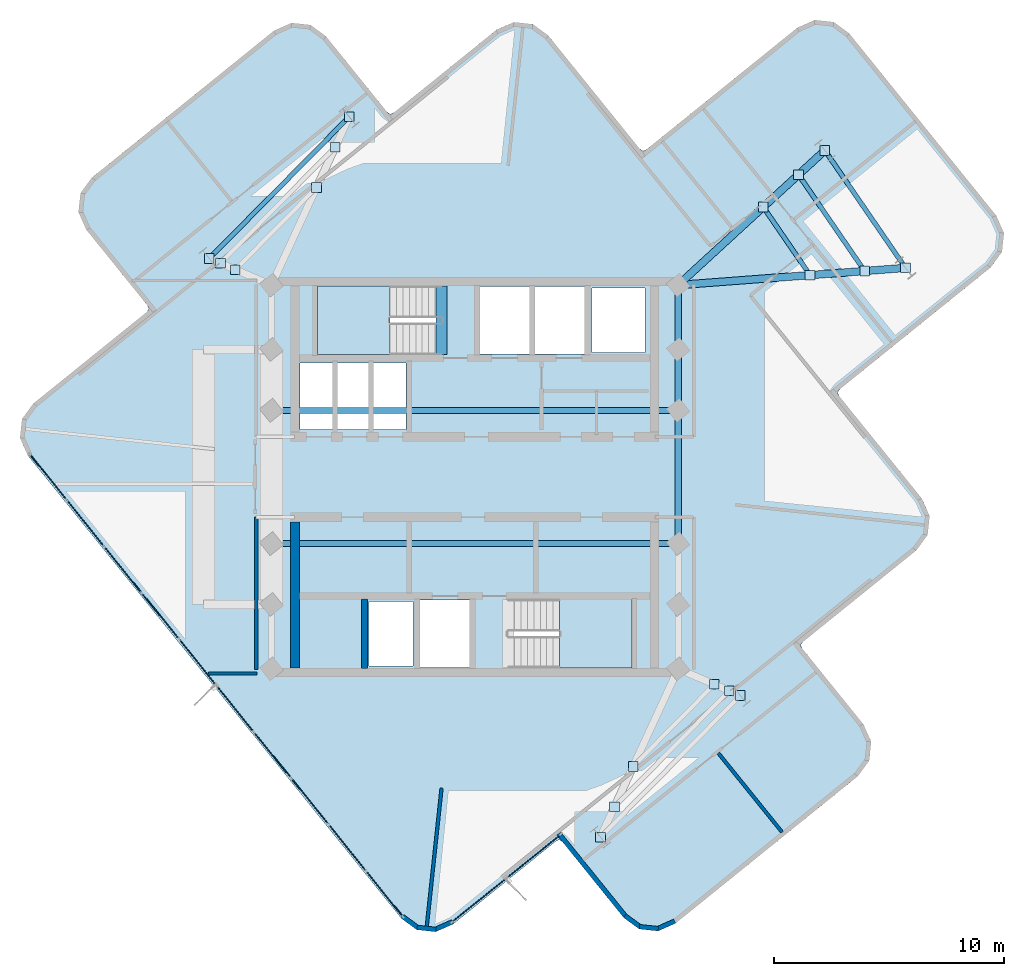
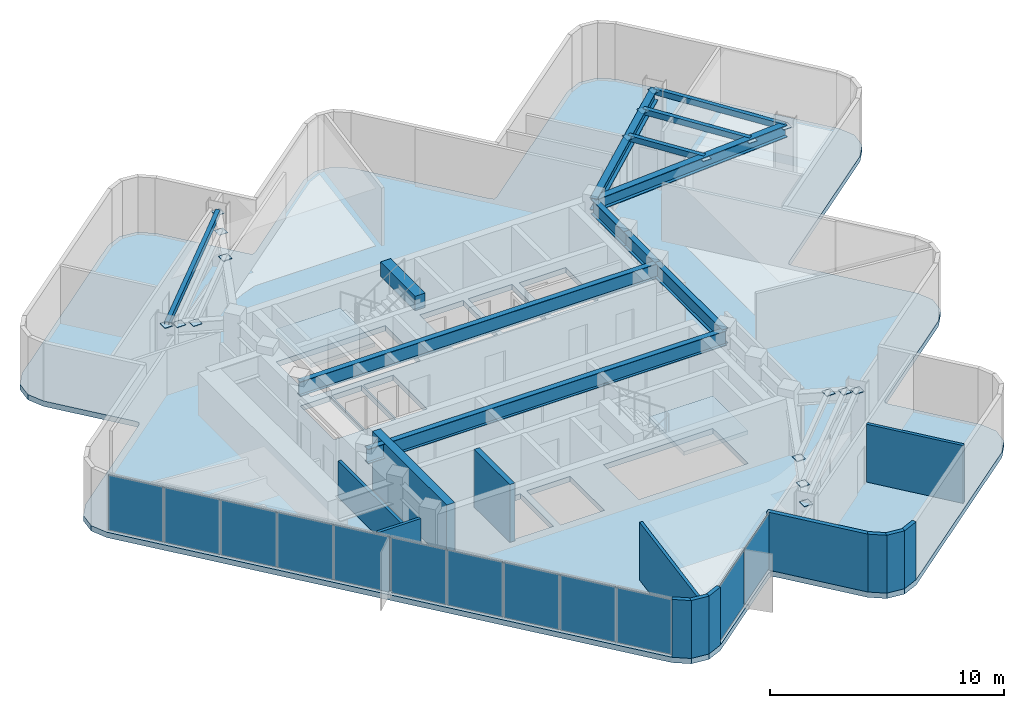
# One storey, part 4 of 9: 30 plates, 13 walls, 12 beams, 3 slabs, 4 elements without a shape of their own.
"""IFC4 building model written with IfcOpenShell, lengths in metres."""

from ifc_helpers import new_model, si_unit, direction, frame, frame_2d, origin, origin_2d, place, context, subcontext, project, spatial, polyline, rectangle, hollow_rectangle, i_section, outline, extrude, material, layer, layer_set, material_profile, profile_set, type_object, element, aggregate, save


model = new_model("IFC4")

# Units and contexts
model_context = context("Model", 3, precision=1e-05, world=origin(), true_north=direction((0.0, 1.0)))
body_context = subcontext(model_context, "Body", "Model", "MODEL_VIEW")
ifc_project = project(units=[si_unit("LENGTHUNIT", "METRE"), si_unit("AREAUNIT", "SQUARE_METRE"), si_unit("VOLUMEUNIT", "CUBIC_METRE"), si_unit("PLANEANGLEUNIT", "RADIAN"), si_unit("MASSUNIT", "GRAM", prefix="KILO")], contexts=[model_context])

# Site, building, storey
site_placement = place(None, origin())
site = spatial("IfcSite", under=ifc_project, at=site_placement, CompositionType="ELEMENT")
building_placement = place(site_placement, origin())
building = spatial("IfcBuilding", under=site, at=building_placement, Name="Solmarez Civic Tower", CompositionType="ELEMENT")
storey_placement = place(building_placement, frame((0.0, 0.0, 235.97998046875)))
storey = spatial("IfcBuildingStorey", under=building, at=storey_placement, Name="L63", CompositionType="ELEMENT", Elevation=235.97998046875)

# Beams
ifc_material_1 = material(Name="Steel S355", Category="steel")
ifc_material_profile_1 = material_profile(ifc_material_1, hollow_rectangle(XDim=0.199951171875, YDim=0.300048828125, WallThickness=0.011962890625, at=origin_2d()), Name="HSS300X200X12")
ifc_profile_set_1 = profile_set([ifc_material_profile_1], Name="Steel S355")
beam_type_1 = type_object("IfcBeamType", Name="BM-JS-HSS300X200", PredefinedType="JOIST", material=ifc_profile_set_1)
beam_1_placement = place(storey_placement, frame((18.740966796875, 9.096923828125, 2.8701171875), z_axis=(-0.565711253315, 0.824603406416, 0.0), x_axis=(-0.824603406416, -0.565711253315, 0.0)))
element("IfcBeam", 1, at=beam_1_placement, inside=storey, type_object=beam_type_1, Name="L63 Secondary Floor Joist BM-L63-EA-T1", PredefinedType="JOIST", context=body_context, shape_type="SweptSolid", body=[
    extrude(hollow_rectangle(XDim=0.199951171875, YDim=0.300048828125, WallThickness=0.011962890625, at=origin_2d()), origin(), (0.0, 0.0, 1.0), 6.199462890625),
])
beam_2_placement = place(storey_placement, frame((14.5869140625, 8.782958984375, 2.8701171875), z_axis=(-0.565666897805, 0.824633834334, 0.0), x_axis=(-0.824633834334, -0.565666897805, 0.0)))
element("IfcBeam", 2, at=beam_2_placement, inside=storey, type_object=beam_type_1, Name="L63 Secondary Floor Joist JS-L63-EA-M11", PredefinedType="JOIST", context=body_context, shape_type="SweptSolid", body=[
    extrude(hollow_rectangle(XDim=0.199951171875, YDim=0.300048828125, WallThickness=0.011962890625, at=origin_2d()), origin(), (0.0, 0.0, 1.0), 3.595703125),
])
beam_3_placement = place(storey_placement, frame((16.9609375, 8.962890625, 2.8701171875), z_axis=(-0.565800880521, 0.824541911367, 0.0), x_axis=(-0.824541911367, -0.565800880521, 0.0)))
element("IfcBeam", 3, at=beam_3_placement, inside=storey, type_object=beam_type_1, Name="L63 Secondary Floor Joist JS-L63-EA-M12", PredefinedType="JOIST", context=body_context, shape_type="SweptSolid", body=[
    extrude(hollow_rectangle(XDim=0.199951171875, YDim=0.300048828125, WallThickness=0.011962890625, at=origin_2d()), origin(), (0.0, 0.0, 1.0), 5.0830078125),
])
beam_4_placement = place(storey_placement, frame((-5.468017578125, 15.6708984375, 2.8701171875), z_axis=(-0.702766092364, -0.711420986072, 0.0), x_axis=(0.711420986072, -0.702766092364, 0.0)))
element("IfcBeam", 4, at=beam_4_placement, inside=storey, type_object=beam_type_1, Name="L63 Secondary Floor Joist BM-L63-NA-T1", PredefinedType="JOIST", context=body_context, shape_type="SweptSolid", body=[
    extrude(hollow_rectangle(XDim=0.199951171875, YDim=0.300048828125, WallThickness=0.011962890625, at=origin_2d()), origin(), (0.0, 0.0, 1.0), 8.659912109375),
])
ifc_material_2 = material(Name="Concrete C50/60", Category="concrete")
ifc_material_profile_2 = material_profile(ifc_material_2, rectangle(XDim=0.5, YDim=0.75, at=origin_2d()), Name="RC500X750")
ifc_profile_set_2 = profile_set([ifc_material_profile_2], Name="Concrete C50/60")
beam_type_2 = type_object("IfcBeamType", Name="BM-PR-RC500X750", PredefinedType="BEAM", material=ifc_profile_set_2)
beam_5_placement = place(storey_placement, frame((-1.449951171875, 5.340087890625, 3.052978515625), z_axis=(0.0, 1.0, 0.0), x_axis=(-1.0, 0.0, 0.0)))
element("IfcBeam", 5, at=beam_5_placement, inside=storey, type_object=beam_type_2, Name="L63 North Stair Threshold Beam", PredefinedType="BEAM", context=body_context, shape_type="SweptSolid", body=[
    extrude(rectangle(XDim=0.5, YDim=0.75, at=origin_2d()), origin(), (0.0, 0.0, 1.0), 2.9599609375),
])
ifc_material_profile_3 = material_profile(ifc_material_1, i_section(OverallWidth=0.327880859375, OverallDepth=0.6220703125, WebThickness=0.015380859375, FlangeThickness=0.0244140625, at=origin_2d()), Name="W24X131")
ifc_profile_set_3 = profile_set([ifc_material_profile_3], Name="Steel S355")
beam_type_3 = type_object("IfcBeamType", Name="BM-PR-W24X131", PredefinedType="BEAM", material=ifc_profile_set_3)
beam_6_placement = place(storey_placement, frame((8.85009765625, 8.35009765625, 2.708984375), z_axis=(0.997161506076, 0.075292302399, 0.0), x_axis=(-0.075292302399, 0.997161506076, 0.0)))
element("IfcBeam", 6, at=beam_6_placement, inside=storey, type_object=beam_type_3, Name="L63 Primary Floor Beam BM-L63-EA-R1A", PredefinedType="BEAM", context=body_context, shape_type="SweptSolid", body=[
    extrude(i_section(OverallWidth=0.327880859375, OverallDepth=0.6220703125, WebThickness=0.015380859375, FlangeThickness=0.0244140625, at=origin_2d()), origin(), (0.0, 0.0, 1.0), 9.9189453125),
])
beam_7_placement = place(storey_placement, frame((8.85009765625, 8.35009765625, 2.708984375), z_axis=(0.736746995662, 0.676168517741, 0.0), x_axis=(-0.676168517741, 0.736746995662, 0.0)))
element("IfcBeam", 7, at=beam_7_placement, inside=storey, type_object=beam_type_3, Name="L63 Primary Floor Beam BM-L63-EA-R1B", PredefinedType="BEAM", context=body_context, shape_type="SweptSolid", body=[
    extrude(i_section(OverallWidth=0.327880859375, OverallDepth=0.6220703125, WebThickness=0.015380859375, FlangeThickness=0.0244140625, at=origin_2d()), origin(), (0.0, 0.0, 1.0), 8.664794921875),
])
ifc_material_profile_4 = material_profile(ifc_material_1, i_section(OverallWidth=0.26708984375, OverallDepth=0.761962890625, WebThickness=0.014404296875, FlangeThickness=0.021484375, at=origin_2d()), Name="W30X116")
ifc_profile_set_4 = profile_set([ifc_material_profile_4], Name="Steel S355")
beam_type_4 = type_object("IfcBeamType", Name="BM-PR-W30X116", PredefinedType="BEAM", material=ifc_profile_set_4)
beam_8_placement = place(storey_placement, frame((8.85009765625, -2.89990234375, 2.638916015625), z_axis=(0.0, 1.0, 0.0), x_axis=(-1.0, 0.0, 0.0)))
element("IfcBeam", 8, at=beam_8_placement, inside=storey, type_object=beam_type_4, Name="L63 Primary Floor Beam BM-L63-HC6-HC7", PredefinedType="BEAM", context=body_context, shape_type="SweptSolid", body=[
    extrude(i_section(OverallWidth=0.26708984375, OverallDepth=0.761962890625, WebThickness=0.014404296875, FlangeThickness=0.021484375, at=origin_2d()), origin(), (0.0, 0.0, 1.0), 5.7998046875),
])
beam_9_placement = place(storey_placement, frame((8.85009765625, 2.89990234375, 2.638916015625), z_axis=(0.0, 1.0, 0.0), x_axis=(-1.0, 0.0, 0.0)))
element("IfcBeam", 9, at=beam_9_placement, inside=storey, type_object=beam_type_4, Name="L63 Primary Floor Beam BM-L63-HC7-HC8", PredefinedType="BEAM", context=body_context, shape_type="SweptSolid", body=[
    extrude(i_section(OverallWidth=0.26708984375, OverallDepth=0.761962890625, WebThickness=0.014404296875, FlangeThickness=0.021484375, at=origin_2d()), origin(), (0.0, 0.0, 1.0), 2.650146484375),
])
beam_10_placement = place(storey_placement, frame((8.85009765625, 5.550048828125, 2.638916015625), z_axis=(0.0, 1.0, 0.0), x_axis=(-1.0, 0.0, 0.0)))
element("IfcBeam", 10, at=beam_10_placement, inside=storey, type_object=beam_type_4, Name="L63 Primary Floor Beam BM-L63-HC8-HC11", PredefinedType="BEAM", context=body_context, shape_type="SweptSolid", body=[
    extrude(i_section(OverallWidth=0.26708984375, OverallDepth=0.761962890625, WebThickness=0.014404296875, FlangeThickness=0.021484375, at=origin_2d()), origin(), (0.0, 0.0, 1.0), 2.800048828125),
])
for number, where, z_axis, x_axis, name in (
    (11, (-8.85009765625, -2.89990234375, 2.638916015625), (1.0, 0.0, 0.0), (0.0, 1.0, 0.0), "L63 Primary Floor Beam BM-L63-HC2-HC6"),
    (12, (-8.85009765625, 2.89990234375, 2.638916015625), (1.0, 0.0, 0.0), (0.0, 1.0, 0.0), "L63 Primary Floor Beam BM-L63-HC3-HC7"),
):
    element("IfcBeam", number, at=place(storey_placement, frame(where, z_axis=z_axis, x_axis=x_axis)), inside=storey, type_object=beam_type_4, Name=name, PredefinedType="BEAM", context=body_context, shape_type="SweptSolid", body=[
        extrude(i_section(OverallWidth=0.26708984375, OverallDepth=0.761962890625, WebThickness=0.014404296875, FlangeThickness=0.021484375, at=origin_2d()), origin(), (0.0, 0.0, 1.0), 17.7001953125),
    ])

# Curtain wall, plates
ifc_material_3 = material(Name="Bronze Anodised Aluminium EN AW-6063 T6", Category="aluminium")
ifc_layer_1 = layer(ifc_material_3, 0.1650390625)
ifc_layer_set_1 = layer_set([ifc_layer_1], Name="Bronze Anodised Aluminium EN AW-6063 T6")
curtain_wall_type = type_object("IfcCurtainWallType", Name="CW-SYS-4", PredefinedType="NOTDEFINED", material=ifc_layer_set_1)
curtain_wall_1_placement = place(storey_placement, origin())
curtain_wall_1 = element("IfcCurtainWall", 13, at=curtain_wall_1_placement, inside=storey, type_object=curtain_wall_type, Name="L63 Stick-Built Curtain Wall 1", PredefinedType="NOTDEFINED")
ifc_material_4 = material(Name="Solar Control Low-E Laminated Vision Glass", Category="glass")
ifc_layer_2 = layer(ifc_material_4, 0.0400390625)
ifc_layer_set_2 = layer_set([ifc_layer_2], Name="Solar Control Low-E Laminated Vision Glass")
plate_type_1 = type_object("IfcPlateType", Name="CWP-GLAZ-40", PredefinedType="CURTAIN_PANEL", material=ifc_layer_set_2)
plate_1_placement = place(storey_placement, frame((2.5595703125, -16.501708984375, 0.070068359375), z_axis=(0.0, 0.0, 1.0), x_axis=(-0.778176846374, -0.628045217932, 0.0)))
plate_1 = element("IfcPlate", 14, at=plate_1_placement, type_object=plate_type_1, Name="CWS4 panel 1.1", PredefinedType="CURTAIN_PANEL", context=body_context, shape_type="SweptSolid", body=[
    extrude(rectangle(XDim=2.980712890625, YDim=0.0400390625, at=origin_2d()), origin(), (0.0, 0.0, 1.0), 2.8798828125),
])
plate_2_placement = place(storey_placement, frame((0.193359375, -18.411376953125, 0.070068359375), z_axis=(0.0, 0.0, 1.0), x_axis=(-0.778176846374, -0.628045217932, 0.0)))
plate_2 = element("IfcPlate", 15, at=plate_2_placement, type_object=plate_type_1, Name="CWS4 panel 2.1", PredefinedType="CURTAIN_PANEL", context=body_context, shape_type="SweptSolid", body=[
    extrude(rectangle(XDim=2.980712890625, YDim=0.0400390625, at=origin_2d()), origin(), (0.0, 0.0, 1.0), 2.8798828125),
])
aggregate(curtain_wall_1, [plate_1, plate_2])

curtain_wall_2_placement = place(storey_placement, origin())
curtain_wall_2 = element("IfcCurtainWall", 16, at=curtain_wall_2_placement, inside=storey, type_object=curtain_wall_type, Name="L63 Stick-Built Curtain Wall 2", PredefinedType="NOTDEFINED")
plate_3_placement = place(storey_placement, frame((-3.929443359375, -18.140625, 0.070068359375), z_axis=(0.0, 0.0, 1.0), x_axis=(-0.627977872831, 0.778231193948, 0.0)))
plate_3 = element("IfcPlate", 17, at=plate_3_placement, type_object=plate_type_1, Name="CWS4 panel 1.1", PredefinedType="CURTAIN_PANEL", context=body_context, shape_type="SweptSolid", body=[
    extrude(rectangle(XDim=2.502197265625, YDim=0.0400390625, at=origin_2d()), origin(), (0.0, 0.0, 1.0), 2.8798828125),
])
plate_4_placement = place(storey_placement, frame((-5.5478515625, -16.135009765625, 0.070068359375), z_axis=(0.0, 0.0, 1.0), x_axis=(-0.627977872831, 0.778231193948, 0.0)))
plate_4 = element("IfcPlate", 18, at=plate_4_placement, type_object=plate_type_1, Name="CWS4 panel 2.1", PredefinedType="CURTAIN_PANEL", context=body_context, shape_type="SweptSolid", body=[
    extrude(rectangle(XDim=2.5322265625, YDim=0.0400390625, at=origin_2d()), origin(), (0.0, 0.0, 1.0), 2.8798828125),
])
plate_5_placement = place(storey_placement, frame((-7.17578125, -14.117431640625, 0.070068359375), z_axis=(0.0, 0.0, 1.0), x_axis=(-0.627977872831, 0.778231193948, 0.0)))
plate_5 = element("IfcPlate", 19, at=plate_5_placement, type_object=plate_type_1, Name="CWS4 panel 3.1", PredefinedType="CURTAIN_PANEL", context=body_context, shape_type="SweptSolid", body=[
    extrude(rectangle(XDim=2.5322265625, YDim=0.0400390625, at=origin_2d()), origin(), (0.0, 0.0, 1.0), 2.8798828125),
])
plate_6_placement = place(storey_placement, frame((-8.8037109375, -12.10009765625, 0.070068359375), z_axis=(0.0, 0.0, 1.0), x_axis=(-0.627977872831, 0.778231193948, 0.0)))
plate_6 = element("IfcPlate", 20, at=plate_6_placement, type_object=plate_type_1, Name="CWS4 panel 4.1", PredefinedType="CURTAIN_PANEL", context=body_context, shape_type="SweptSolid", body=[
    extrude(rectangle(XDim=2.5322265625, YDim=0.0400390625, at=origin_2d()), origin(), (0.0, 0.0, 1.0), 2.8798828125),
])
plate_7_placement = place(storey_placement, frame((-10.431640625, -10.082763671875, 0.070068359375), z_axis=(0.0, 0.0, 1.0), x_axis=(-0.627977872831, 0.778231193948, 0.0)))
plate_7 = element("IfcPlate", 21, at=plate_7_placement, type_object=plate_type_1, Name="CWS4 panel 5.1", PredefinedType="CURTAIN_PANEL", context=body_context, shape_type="SweptSolid", body=[
    extrude(rectangle(XDim=2.5322265625, YDim=0.0400390625, at=origin_2d()), origin(), (0.0, 0.0, 1.0), 2.8798828125),
])
plate_8_placement = place(storey_placement, frame((-12.0595703125, -8.065185546875, 0.070068359375), z_axis=(0.0, 0.0, 1.0), x_axis=(-0.627977872831, 0.778231193948, 0.0)))
plate_8 = element("IfcPlate", 22, at=plate_8_placement, type_object=plate_type_1, Name="CWS4 panel 6.1", PredefinedType="CURTAIN_PANEL", context=body_context, shape_type="SweptSolid", body=[
    extrude(rectangle(XDim=2.5322265625, YDim=0.0400390625, at=origin_2d()), origin(), (0.0, 0.0, 1.0), 2.8798828125),
])
plate_9_placement = place(storey_placement, frame((-13.687255859375, -6.0478515625, 0.070068359375), z_axis=(0.0, 0.0, 1.0), x_axis=(-0.627977872831, 0.778231193948, 0.0)))
plate_9 = element("IfcPlate", 23, at=plate_9_placement, type_object=plate_type_1, Name="CWS4 panel 7.1", PredefinedType="CURTAIN_PANEL", context=body_context, shape_type="SweptSolid", body=[
    extrude(rectangle(XDim=2.5322265625, YDim=0.0400390625, at=origin_2d()), origin(), (0.0, 0.0, 1.0), 2.8798828125),
])
plate_10_placement = place(storey_placement, frame((-15.315185546875, -4.030517578125, 0.070068359375), z_axis=(0.0, 0.0, 1.0), x_axis=(-0.627977872831, 0.778231193948, 0.0)))
plate_10 = element("IfcPlate", 24, at=plate_10_placement, type_object=plate_type_1, Name="CWS4 panel 8.1", PredefinedType="CURTAIN_PANEL", context=body_context, shape_type="SweptSolid", body=[
    extrude(rectangle(XDim=2.5322265625, YDim=0.0400390625, at=origin_2d()), origin(), (0.0, 0.0, 1.0), 2.8798828125),
])
plate_11_placement = place(storey_placement, frame((-16.943115234375, -2.01318359375, 0.070068359375), z_axis=(0.0, 0.0, 1.0), x_axis=(-0.627977872831, 0.778231193948, 0.0)))
plate_11 = element("IfcPlate", 25, at=plate_11_placement, type_object=plate_type_1, Name="CWS4 panel 9.1", PredefinedType="CURTAIN_PANEL", context=body_context, shape_type="SweptSolid", body=[
    extrude(rectangle(XDim=2.5322265625, YDim=0.0400390625, at=origin_2d()), origin(), (0.0, 0.0, 1.0), 2.8798828125),
])
plate_12_placement = place(storey_placement, frame((-18.5615234375, -0.00732421875, 0.070068359375), z_axis=(0.0, 0.0, 1.0), x_axis=(-0.627977872831, 0.778231193948, 0.0)))
plate_12 = element("IfcPlate", 26, at=plate_12_placement, type_object=plate_type_1, Name="CWS4 panel 10.1", PredefinedType="CURTAIN_PANEL", context=body_context, shape_type="SweptSolid", body=[
    extrude(rectangle(XDim=2.502197265625, YDim=0.0400390625, at=origin_2d()), origin(), (0.0, 0.0, 1.0), 2.8798828125),
])
aggregate(curtain_wall_2, [plate_3, plate_4, plate_5, plate_6, plate_7, plate_8, plate_9, plate_10, plate_11, plate_12])

# Plates
ifc_layer_3 = layer(ifc_material_1, 0.02392578125)
ifc_layer_set_3 = layer_set([ifc_layer_3], Name="Steel S355")
plate_type_2 = type_object("IfcPlateType", Name="PLT-CAP-380", PredefinedType="USERDEFINED", material=ifc_layer_set_3)
for number, where, z_axis, x_axis, name in (
    (27, (18.740966796875, 9.096923828125, 2.858154296875), (0.0, 0.0, 1.0), (1.0, 0.0, 0.0), "Steel Member End Cap Plate CAP-BM-L63-EA-T1-0"),
    (28, (15.23388671875, 14.208984375, 2.858154296875), (0.0, 0.0, 1.0), (1.0, 0.0, 0.0), "Steel Member End Cap Plate CAP-BM-L63-EA-T1-1"),
    (29, (14.5869140625, 8.782958984375, 2.858154296875), (0.0, 0.0, 1.0), (1.0, 0.0, 0.0), "Steel Member End Cap Plate CAP-JS-L63-EA-M11-0"),
    (30, (12.552978515625, 11.748046875, 2.858154296875), (0.0, 0.0, 1.0), (1.0, 0.0, 0.0), "Steel Member End Cap Plate CAP-JS-L63-EA-M11-1"),
    (31, (16.9609375, 8.962890625, 2.858154296875), (0.0, 0.0, 1.0), (1.0, 0.0, 0.0), "Steel Member End Cap Plate CAP-JS-L63-EA-M12-0"),
    (32, (14.0849609375, 13.154052734375, 2.858154296875), (0.0, 0.0, 1.0), (1.0, 0.0, 0.0), "Steel Member End Cap Plate CAP-JS-L63-EA-M12-1"),
    (33, (-5.468017578125, 15.6708984375, 2.858154296875), (0.0, 0.0, 1.0), (1.0, 0.0, 0.0), "Steel Member End Cap Plate CAP-BM-L63-NA-T1-0"),
    (34, (-11.553955078125, 9.510009765625, 2.858154296875), (0.0, 0.0, 1.0), (1.0, 0.0, 0.0), "Steel Member End Cap Plate CAP-BM-L63-NA-T1-1"),
    (35, (-6.887939453125, 12.595947265625, 2.858154296875), (0.0, 0.0, 1.0), (1.0, 0.0, 0.0), "Steel Member End Cap Plate CAP-JS-L63-NA-M11-0"),
    (36, (-10.41796875, 9.02294921875, 2.858154296875), (0.0, 0.0, 1.0), (1.0, 0.0, 0.0), "Steel Member End Cap Plate CAP-JS-L63-NA-M11-1"),
    (37, (-6.076904296875, 14.35302734375, 2.858154296875), (0.0, 0.0, 1.0), (1.0, 0.0, 0.0), "Steel Member End Cap Plate CAP-JS-L63-NA-M12-0"),
    (38, (-11.06689453125, 9.301025390625, 2.858154296875), (0.0, 0.0, 1.0), (1.0, 0.0, 0.0), "Steel Member End Cap Plate CAP-JS-L63-NA-M12-1"),
    (39, (5.468017578125, -15.6708984375, 2.858154296875), (0.0, 0.0, 1.0), (1.0, 0.0, 0.0), "Steel Member End Cap Plate CAP-BM-L63-SA-T1-0"),
    (40, (11.553955078125, -9.510009765625, 2.858154296875), (0.0, 0.0, 1.0), (1.0, 0.0, 0.0), "Steel Member End Cap Plate CAP-BM-L63-SA-T1-1"),
    (41, (6.887939453125, -12.595947265625, 2.858154296875), (0.0, 0.0, 1.0), (1.0, 0.0, 0.0), "Steel Member End Cap Plate CAP-JS-L63-SA-M11-0"),
    (42, (10.41796875, -9.02294921875, 2.858154296875), (0.0, 0.0, 1.0), (1.0, 0.0, 0.0), "Steel Member End Cap Plate CAP-JS-L63-SA-M11-1"),
    (43, (6.076904296875, -14.35302734375, 2.858154296875), (0.0, 0.0, 1.0), (1.0, 0.0, 0.0), "Steel Member End Cap Plate CAP-JS-L63-SA-M12-0"),
    (44, (11.06689453125, -9.301025390625, 2.858154296875), (0.0, 0.0, 1.0), (1.0, 0.0, 0.0), "Steel Member End Cap Plate CAP-JS-L63-SA-M12-1"),
):
    element("IfcPlate", number, at=place(storey_placement, frame(where, z_axis=z_axis, x_axis=x_axis)), inside=storey, type_object=plate_type_2, Name=name, ObjectType="CAP_PLATE", PredefinedType="USERDEFINED", context=body_context, shape_type="SweptSolid", body=[
        extrude(rectangle(XDim=0.419921875, YDim=0.419921875, at=origin_2d()), origin(), (0.0, 0.0, 1.0), 0.02392578125),
    ])

# Stair, slab
stair_type = type_object("IfcStairType", Name="STAIR-DOGLEG-140W-18R-1900", PredefinedType="HALF_TURN_STAIR", material=ifc_material_2)
stair_1_placement = place(storey_placement, origin())
stair_1 = element("IfcStair", 45, at=stair_1_placement, inside=storey, type_object=stair_type, Name="L63 North Core Protected Exit Stair ST-1", PredefinedType="HALF_TURN_STAIR")
ifc_layer_4 = layer(ifc_material_2, 0.199951171875)
ifc_layer_set_4 = layer_set([ifc_layer_4], Name="Concrete C50/60")
slab_type_1 = type_object("IfcSlabType", Name="SLAB-LANDING-200", PredefinedType="LANDING", material=ifc_layer_set_4)
slab_1_placement = place(storey_placement, frame((0.0, 0.0, 1.510009765625)))
slab_1 = element("IfcSlab", 46, at=slab_1_placement, type_object=slab_type_1, Name="ST-1 landing 1", PredefinedType="LANDING", context=body_context, shape_type="SweptSolid", body=[
    extrude(outline(polyline([(-3.68994140625, 8.320068359375), (-6.85009765625, 8.320068359375), (-6.85009765625, 5.320068359375), (-3.68994140625, 5.320068359375), (-3.68994140625, 8.320068359375)])), origin(), (0.0, 0.0, 1.0), 0.199951171875),
])
aggregate(stair_1, [slab_1])

stair_2_placement = place(storey_placement, origin())
stair_2 = element("IfcStair", 47, at=stair_2_placement, inside=storey, type_object=stair_type, Name="L63 South Core Protected Exit Stair ST-2", PredefinedType="HALF_TURN_STAIR")
slab_2_placement = place(storey_placement, frame((0.0, 0.0, 1.510009765625)))
slab_2 = element("IfcSlab", 48, at=slab_2_placement, type_object=slab_type_1, Name="ST-2 landing 1", PredefinedType="LANDING", context=body_context, shape_type="SweptSolid", body=[
    extrude(outline(polyline([(3.68994140625, -8.320068359375), (6.85009765625, -8.320068359375), (6.85009765625, -5.320068359375), (3.68994140625, -5.320068359375), (3.68994140625, -8.320068359375)])), origin(), (0.0, 0.0, 1.0), 0.199951171875),
])
aggregate(stair_2, [slab_2])

# Slab
ifc_layer_5 = layer(ifc_material_2, 0.280029296875)
ifc_layer_set_5 = layer_set([ifc_layer_5], Name="Concrete C50/60")
slab_type_2 = type_object("IfcSlabType", Name="SLAB-TOWER-280", PredefinedType="FLOOR", material=ifc_layer_set_5)
slab_3_placement = place(storey_placement, frame((0.0, 0.0, -0.280029296875)))
element("IfcSlab", 49, at=slab_3_placement, inside=storey, type_object=slab_type_2, Name="L63 Structural Slab", PredefinedType="FLOOR", context=body_context, shape_type="SweptSolid", body=[
    extrude(outline(polyline([(3.821044921875, -15.883056640625), (6.48388671875, -19.181884765625), (7.153076171875, -19.669921875), (7.97607421875, -19.758056640625), (8.73388671875, -19.423095703125), (16.672119140625, -13.01806640625), (17.159912109375, -12.347900390625), (17.248046875, -11.52490234375), (16.912109375, -10.76806640625), (14.25, -7.468017578125), (14.179931640625, -7.31103515625), (14.281982421875, -7.172119140625), (19.215087890625, -3.19091796875), (19.702880859375, -2.52197265625), (19.791015625, -1.698974609375), (19.4560546875, -0.94091796875), (15.85107421875, 3.52490234375), (15.781982421875, 3.681884765625), (15.883056640625, 3.821044921875), (22.450927734375, 9.12109375), (22.93896484375, 9.7900390625), (23.027099609375, 10.614013671875), (22.69091796875, 11.37109375), (16.285888671875, 19.30908203125), (15.616943359375, 19.797119140625), (14.79296875, 19.885009765625), (14.035888671875, 19.549072265625), (7.468017578125, 14.25), (7.31103515625, 14.179931640625), (7.172119140625, 14.281982421875), (3.19091796875, 19.215087890625), (2.52197265625, 19.702880859375), (1.698974609375, 19.791015625), (0.94091796875, 19.4560546875), (-3.52490234375, 15.85107421875), (-3.681884765625, 15.781982421875), (-3.821044921875, 15.883056640625), (-6.48388671875, 19.181884765625), (-7.153076171875, 19.669921875), (-7.97607421875, 19.758056640625), (-8.73388671875, 19.423095703125), (-16.672119140625, 13.01806640625), (-17.159912109375, 12.347900390625), (-17.248046875, 11.52490234375), (-16.912109375, 10.76806640625), (-14.25, 7.468017578125), (-14.179931640625, 7.31103515625), (-14.281982421875, 7.172119140625), (-19.215087890625, 3.19091796875), (-19.702880859375, 2.52197265625), (-19.791015625, 1.698974609375), (-19.4560546875, 0.94091796875), (-3.19091796875, -19.215087890625), (-2.52197265625, -19.702880859375), (-1.698974609375, -19.791015625), (-0.94091796875, -19.4560546875), (3.52490234375, -15.85107421875), (3.681884765625, -15.781982421875), (3.821044921875, -15.883056640625)]), holes=[polyline([(-1.449951171875, 8.320068359375), (-6.85009765625, 8.320068359375), (-6.85009765625, 5.320068359375), (-1.449951171875, 5.320068359375), (-1.449951171875, 8.320068359375)]), polyline([(1.449951171875, -8.320068359375), (6.85009765625, -8.320068359375), (6.85009765625, -5.320068359375), (1.449951171875, -5.320068359375), (1.449951171875, -8.320068359375)]), polyline([(0.219970703125, 5.360107421875), (2.3798828125, 5.360107421875), (2.3798828125, 8.280029296875), (0.219970703125, 8.280029296875), (0.219970703125, 5.360107421875)]), polyline([(2.6201171875, 5.360107421875), (4.780029296875, 5.360107421875), (4.780029296875, 8.280029296875), (2.6201171875, 8.280029296875), (2.6201171875, 5.360107421875)]), polyline([(-2.3798828125, -8.280029296875), (-0.219970703125, -8.280029296875), (-0.219970703125, -5.360107421875), (-2.3798828125, -5.360107421875), (-2.3798828125, -8.280029296875)]), polyline([(-7.60009765625, 2.06005859375), (-6.1201171875, 2.06005859375), (-6.1201171875, 4.9599609375), (-7.60009765625, 4.9599609375), (-7.60009765625, 2.06005859375)]), polyline([(-6.0400390625, 2.06005859375), (-4.56005859375, 2.06005859375), (-4.56005859375, 4.9599609375), (-6.0400390625, 4.9599609375), (-6.0400390625, 2.06005859375)]), polyline([(-4.47998046875, 2.06005859375), (-3.0, 2.06005859375), (-3.0, 4.9599609375), (-4.47998046875, 4.9599609375), (-4.47998046875, 2.06005859375)]), polyline([(5.10009765625, 5.419921875), (7.39990234375, 5.419921875), (7.39990234375, 8.219970703125), (5.10009765625, 8.219970703125), (5.10009765625, 5.419921875)]), polyline([(-4.60009765625, -8.219970703125), (-2.699951171875, -8.219970703125), (-2.699951171875, -5.419921875), (-4.60009765625, -5.419921875), (-4.60009765625, -8.219970703125)])]), origin(), (0.0, 0.0, 1.0), 0.280029296875),
])

# Walls
ifc_layer_6 = layer(ifc_material_2, 0.39990234375)
ifc_layer_set_6 = layer_set([ifc_layer_6], Name="Concrete C50/60")
wall_type_1 = type_object("IfcWallType", Name="WALL-CORE-400", PredefinedType="SHEAR", material=ifc_layer_set_6)
wall_1_placement = place(storey_placement, frame((-7.820068359375, -8.31005859375, 0.0), z_axis=(0.0, 0.0, 1.0), x_axis=(0.0, 1.0, 0.0)))
element("IfcWall", 50, at=wall_1_placement, inside=storey, type_object=wall_type_1, Name="L63 Split-Core Structural Wall SCW-W-L63", PredefinedType="SHEAR", context=body_context, shape_type="SweptSolid", body=[
    extrude(rectangle(XDim=6.360107421875, YDim=0.39990234375, at=frame_2d((3.18017578125, 0.0))), origin(), (0.0, 0.0, 1.0), 3.02001953125),
])
ifc_material_5 = material(Name="Precast concrete C40/50", Category="concrete")
ifc_layer_7 = layer(ifc_material_5, 0.199951171875)
ifc_layer_set_7 = layer_set([ifc_layer_7], Name="Precast concrete C40/50")
wall_type_2 = type_object("IfcWallType", Name="WALL-EXT-200", PredefinedType="SOLIDWALL", material=ifc_layer_set_7)
wall_2_placement = place(storey_placement, frame((-0.970947265625, -19.35888671875, 0.0), z_axis=(0.0, 0.0, 1.0), x_axis=(-0.914183108905, -0.405301422885, 0.0)))
element("IfcWall", 51, at=wall_2_placement, inside=storey, type_object=wall_type_2, Name="L63 Exterior Precast Wall 3", PredefinedType="SOLIDWALL", context=body_context, shape_type="SweptSolid", body=[
    extrude(rectangle(XDim=0.839111328125, YDim=0.199951171875, at=frame_2d((0.41943359375, 0.0))), origin(), (0.0, 0.0, 1.0), 3.02001953125),
])
wall_3_placement = place(storey_placement, frame((-1.68994140625, -19.69189453125, 0.0), z_axis=(0.0, 0.0, 1.0), x_axis=(-0.994305793889, 0.10656447925, 0.0)))
element("IfcWall", 52, at=wall_3_placement, inside=storey, type_object=wall_type_2, Name="L63 Exterior Precast Wall 4", PredefinedType="SOLIDWALL", context=body_context, shape_type="SweptSolid", body=[
    extrude(rectangle(XDim=0.82470703125, YDim=0.199951171875, at=frame_2d((0.412353515625, 0.0))), origin(), (0.0, 0.0, 1.0), 3.02001953125),
])
for number, where, z_axis, x_axis, name in (
    (53, (-2.465087890625, -19.6220703125, 0.0), (0.0, 0.0, 1.0), (-0.807172403894, 0.590315771763, 0.0), "L63 Exterior Precast Wall 5"),
    (54, (8.7041015625, -19.326904296875, 0.0), (0.0, 0.0, 1.0), (-0.914614013687, -0.404328091983, 0.0), "L63 Exterior Precast Wall 54"),
):
    element("IfcWall", number, at=place(storey_placement, frame(where, z_axis=z_axis, x_axis=x_axis)), inside=storey, type_object=wall_type_2, Name=name, PredefinedType="SOLIDWALL", context=body_context, shape_type="SweptSolid", body=[
        extrude(rectangle(XDim=0.838623046875, YDim=0.199951171875, at=frame_2d((0.41943359375, 0.0))), origin(), (0.0, 0.0, 1.0), 3.02001953125),
    ])
wall_4_placement = place(storey_placement, frame((7.985107421875, -19.658935546875, 0.0), z_axis=(0.0, 0.0, 1.0), x_axis=(-0.994305793889, 0.10656447925, 0.0)))
element("IfcWall", 55, at=wall_4_placement, inside=storey, type_object=wall_type_2, Name="L63 Exterior Precast Wall 55", PredefinedType="SOLIDWALL", context=body_context, shape_type="SweptSolid", body=[
    extrude(rectangle(XDim=0.82470703125, YDim=0.199951171875, at=frame_2d((0.412353515625, 0.0))), origin(), (0.0, 0.0, 1.0), 3.02001953125),
])
wall_5_placement = place(storey_placement, frame((7.2099609375, -19.589111328125, 0.0), z_axis=(0.0, 0.0, 1.0), x_axis=(-0.807172403894, 0.590315771763, 0.0)))
element("IfcWall", 56, at=wall_5_placement, inside=storey, type_object=wall_type_2, Name="L63 Exterior Precast Wall 56", PredefinedType="SOLIDWALL", context=body_context, shape_type="SweptSolid", body=[
    extrude(rectangle(XDim=0.838623046875, YDim=0.199951171875, at=frame_2d((0.41943359375, 0.0))), origin(), (0.0, 0.0, 1.0), 3.02001953125),
])
wall_6_placement = place(storey_placement, frame((6.569091796875, -19.1279296875, 0.0), z_axis=(0.0, 0.0, 1.0), x_axis=(-0.628050563363, 0.778172532193, 0.0)))
element("IfcWall", 57, at=wall_6_placement, inside=storey, type_object=wall_type_2, Name="L63 Exterior Precast Wall 57", PredefinedType="SOLIDWALL", context=body_context, shape_type="SweptSolid", body=[
    extrude(rectangle(XDim=4.641357421875, YDim=0.199951171875, at=frame_2d((2.32080078125, 0.0))), origin(), (0.0, 0.0, 1.0), 3.02001953125),
])
ifc_material_6 = material(Name="Gypsum Board Acoustic Steel-Stud Partition", Category="steel")
ifc_layer_8 = layer(ifc_material_6, 0.14990234375)
ifc_layer_set_8 = layer_set([ifc_layer_8], Name="Gypsum Board Acoustic Steel-Stud Partition")
wall_type_3 = type_object("IfcWallType", Name="WALL-INT-FIRE-150", PredefinedType="PARTITIONING", material=ifc_layer_set_8)
wall_7_placement = place(storey_placement, frame((-9.52001953125, -8.3798828125, 0.0), z_axis=(0.0, 0.0, 1.0), x_axis=(0.0, 1.0, 0.0)))
element("IfcWall", 58, at=wall_7_placement, inside=storey, type_object=wall_type_3, Name="L63 Interior Partition CHW-L63-WS1", PredefinedType="PARTITIONING", context=body_context, shape_type="SweptSolid", body=[
    extrude(rectangle(XDim=6.6298828125, YDim=0.14990234375, at=frame_2d((3.31494140625, 0.0))), origin(), (0.0, 0.0, 1.0), 1.904052734375),
])
ifc_layer_9 = layer(ifc_material_6, 0.14501953125)
ifc_layer_set_9 = layer_set([ifc_layer_9], Name="Gypsum Board Acoustic Steel-Stud Partition")
wall_type_4 = type_object("IfcWallType", Name="WALL-INT-PART-150", PredefinedType="PARTITIONING", material=ifc_layer_set_9)
wall_8_placement = place(storey_placement, frame((-11.5849609375, -8.550048828125, 0.0), z_axis=(0.0, 0.0, 1.0), x_axis=(1.0, 0.0, 0.0)))
element("IfcWall", 59, at=wall_8_placement, inside=storey, type_object=wall_type_4, Name="L63 Interior Partition PT-L63-WH-BS", PredefinedType="PARTITIONING", context=body_context, shape_type="SweptSolid", body=[
    extrude(rectangle(XDim=2.10498046875, YDim=0.14501953125, at=frame_2d((1.052490234375, 0.0))), origin(), (0.0, 0.0, 1.0), 3.02001953125),
])
wall_9_placement = place(storey_placement, frame((-1.447021484375, -13.5400390625, 0.0), z_axis=(0.0, 0.0, 1.0), x_axis=(-0.106294824765, -0.994334657059, 0.0)))
element("IfcWall", 60, at=wall_9_placement, inside=storey, type_object=wall_type_4, Name="L63 Interior Partition PT-L63-QDIV-3", PredefinedType="PARTITIONING", context=body_context, shape_type="SweptSolid", body=[
    extrude(rectangle(XDim=6.077392578125, YDim=0.14501953125, at=frame_2d((3.03857421875, 0.0))), origin(), (0.0, 0.0, 1.0), 3.02001953125),
])
wall_10_placement = place(storey_placement, frame((10.592041015625, -12.011962890625, 0.0), z_axis=(0.0, 0.0, 1.0), x_axis=(0.627878320572, -0.778311515112, 0.0)))
element("IfcWall", 61, at=wall_10_placement, inside=storey, type_object=wall_type_4, Name="L63 Interior Partition PT-L63-S-TM3", PredefinedType="PARTITIONING", context=body_context, shape_type="SweptSolid", body=[
    extrude(rectangle(XDim=4.435546875, YDim=0.14501953125, at=frame_2d((2.2177734375, 0.0))), origin(), (0.0, 0.0, 1.0), 3.02001953125),
])
ifc_layer_10 = layer(ifc_material_2, 0.300048828125)
ifc_layer_set_10 = layer_set([ifc_layer_10], Name="Concrete C50/60")
wall_type_5 = type_object("IfcWallType", Name="WALL-STR-300", PredefinedType="SOLIDWALL", material=ifc_layer_set_10)
wall_11_placement = place(storey_placement, frame((-4.800048828125, -8.340087890625, 0.0), z_axis=(0.0, 0.0, 1.0), x_axis=(0.0, 1.0, 0.0)))
element("IfcWall", 62, at=wall_11_placement, inside=storey, type_object=wall_type_5, Name="L63 Split-Core Structural Wall SHW-S3-L63", PredefinedType="SOLIDWALL", context=body_context, shape_type="SweptSolid", body=[
    extrude(rectangle(XDim=3.0400390625, YDim=0.25, at=frame_2d((1.52001953125, 0.0))), origin(), (0.0, 0.0, 1.0), 3.02001953125),
])

save(model, "model.ifc")
